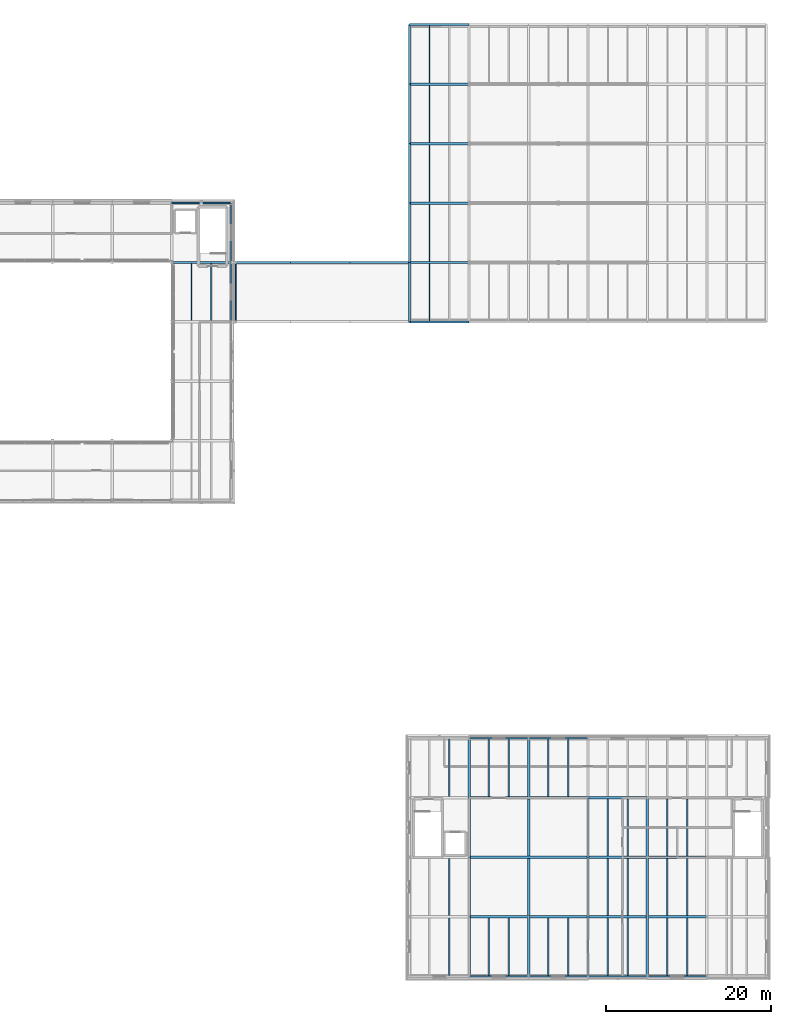
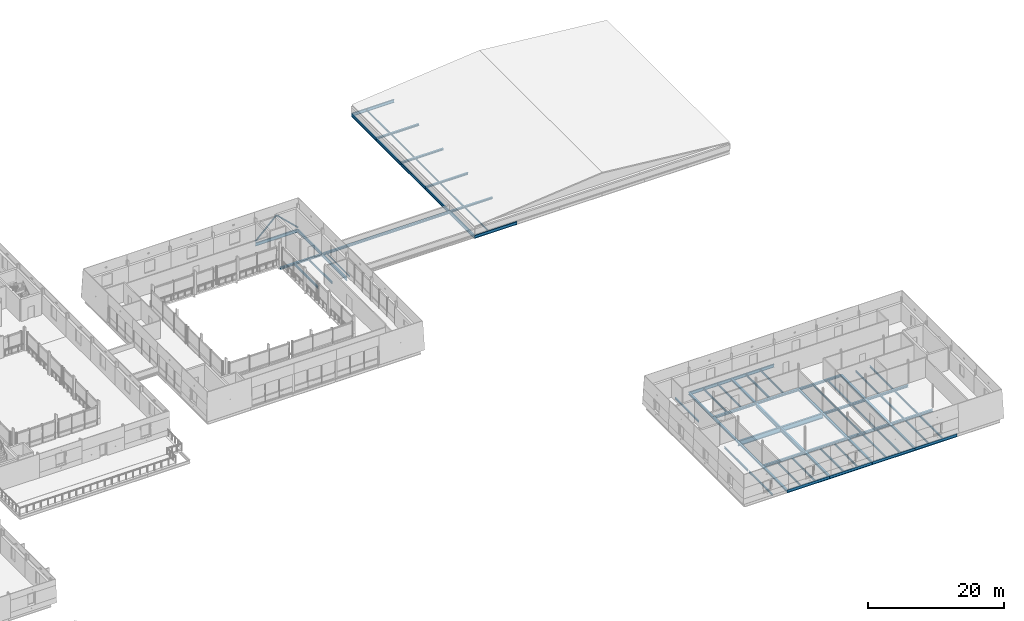
# One storey, part 27 of 91: 78 beams, 2 members.
"""IFC4 building model written with IfcOpenShell, lengths in metres."""

from ifc_helpers import new_model, si_unit, direction, frame, origin, origin_2d, place, context, subcontext, project, spatial, hollow_circle, i_section, extrude, material, material_profile, profile_set, type_object, element, save


model = new_model("IFC4")

# Units and contexts
model_context = context("Model", 3, precision=1e-05, world=origin(), true_north=direction((0.0, 1.0)))
body_context = subcontext(model_context, "Body", "Model", "MODEL_VIEW")
ifc_project = project(units=[si_unit("LENGTHUNIT", "METRE"), si_unit("AREAUNIT", "SQUARE_METRE"), si_unit("VOLUMEUNIT", "CUBIC_METRE"), si_unit("PLANEANGLEUNIT", "RADIAN"), si_unit("MASSUNIT", "GRAM", prefix="KILO")], contexts=[model_context])

# Site, building, storey
site_placement = place(None, origin())
site = spatial("IfcSite", under=ifc_project, at=site_placement, CompositionType="ELEMENT")
building_placement = place(site_placement, origin())
building = spatial("IfcBuilding", under=site, at=building_placement, Name="Narikvali Park Central Library", CompositionType="ELEMENT")
storey_placement = place(building_placement, frame((0.0, 0.0, 14.39990234375)))
storey = spatial("IfcBuildingStorey", under=building, at=storey_placement, Name="L03", CompositionType="ELEMENT", Elevation=14.39990234375)

# Beams
ifc_material = material(Name="Steel S355", Category="steel")
ifc_material_profile_1 = material_profile(ifc_material, i_section(OverallWidth=0.300048828125, OverallDepth=0.389892578125, WebThickness=0.010986328125, FlangeThickness=0.01904296875, FilletRadius=0.027099609375, at=origin_2d()), Name="HEA 400")
ifc_profile_set_1 = profile_set([ifc_material_profile_1], Name="Steel S355")
beam_type_1 = type_object("IfcBeamType", Name="Colonnade Bridge Girder HEA400", PredefinedType="BEAM", material=ifc_profile_set_1)
beam_1_placement = place(storey_placement, frame((101.02001953125, 86.39990234375, -0.434814453125), z_axis=(1.0, 0.0, 0.0), x_axis=(0.0, 1.0, 0.0)))
element("IfcBeam", 1, at=beam_1_placement, inside=storey, type_object=beam_type_1, Name="BRG-3 L03 Sliding Bridge Girder 2-1", PredefinedType="BEAM", context=body_context, shape_type="SweptSolid", body=[
    extrude(i_section(OverallWidth=0.300048828125, OverallDepth=0.389892578125, WebThickness=0.010986328125, FlangeThickness=0.01904296875, FilletRadius=0.027099609375, at=origin_2d()), origin(), (0.0, 0.0, 1.0), 6.969970703125),
])
for number, where, z_axis, x_axis, name in (
    (2, (108.010009765625, 86.39990234375, -0.434814453125), (1.0, 0.0, 0.0), (0.0, 1.0, 0.0), "BRG-3 L03 Sliding Bridge Girder 2-2"),
    (3, (115.2099609375, 86.39990234375, -0.434814453125), (1.0, 0.0, 0.0), (0.0, 1.0, 0.0), "BRG-3 L03 Sliding Bridge Girder 2-3"),
):
    element("IfcBeam", number, at=place(storey_placement, frame(where, z_axis=z_axis, x_axis=x_axis)), inside=storey, type_object=beam_type_1, Name=name, PredefinedType="BEAM", context=body_context, shape_type="SweptSolid", body=[
        extrude(i_section(OverallWidth=0.300048828125, OverallDepth=0.389892578125, WebThickness=0.010986328125, FlangeThickness=0.01904296875, FilletRadius=0.027099609375, at=origin_2d()), origin(), (0.0, 0.0, 1.0), 7.179931640625),
    ])
ifc_material_profile_2 = material_profile(ifc_material, i_section(OverallWidth=0.135009765625, OverallDepth=0.27001953125, WebThickness=0.006591796875, FlangeThickness=0.01025390625, FilletRadius=0.014892578125, at=origin_2d()), Name="IPE 270")
ifc_profile_set_2 = profile_set([ifc_material_profile_2], Name="Steel S355")
beam_type_2 = type_object("IfcBeamType", Name="Composite Floor Joist IPE270", PredefinedType="JOIST", material=ifc_profile_set_2)
beam_2_placement = place(storey_placement, frame((124.800048828125, 79.304931640625, -0.375), z_axis=(0.0, 1.0, 0.0), x_axis=(-1.0, 0.0, 0.0)))
element("IfcBeam", 4, at=beam_2_placement, inside=storey, type_object=beam_type_2, Name="V3 L03 Composite Joist 1", PredefinedType="JOIST", context=body_context, shape_type="SweptSolid", body=[
    extrude(i_section(OverallWidth=0.135009765625, OverallDepth=0.27001953125, WebThickness=0.006591796875, FlangeThickness=0.01025390625, FilletRadius=0.014892578125, at=origin_2d()), origin(), (0.0, 0.0, 1.0), 6.945068359375),
])
for number, where, z_axis, x_axis, name in (
    (5, (124.800048828125, 86.550048828125, -0.375), (0.0, 1.0, 0.0), (-1.0, 0.0, 0.0), "V3 L03 Composite Joist 1"),
    (6, (124.800048828125, 93.75, -0.375), (0.0, 1.0, 0.0), (-1.0, 0.0, 0.0), "V3 L03 Composite Joist 1"),
):
    element("IfcBeam", number, at=place(storey_placement, frame(where, z_axis=z_axis, x_axis=x_axis)), inside=storey, type_object=beam_type_2, Name=name, PredefinedType="JOIST", context=body_context, shape_type="SweptSolid", body=[
        extrude(i_section(OverallWidth=0.135009765625, OverallDepth=0.27001953125, WebThickness=0.006591796875, FlangeThickness=0.01025390625, FilletRadius=0.014892578125, at=origin_2d()), origin(), (0.0, 0.0, 1.0), 6.89990234375),
    ])
beam_3_placement = place(storey_placement, frame((124.800048828125, 100.949951171875, -0.375), z_axis=(0.0, 1.0, 0.0), x_axis=(-1.0, 0.0, 0.0)))
element("IfcBeam", 7, at=beam_3_placement, inside=storey, type_object=beam_type_2, Name="V3 L03 Composite Joist 1", PredefinedType="JOIST", context=body_context, shape_type="SweptSolid", body=[
    extrude(i_section(OverallWidth=0.135009765625, OverallDepth=0.27001953125, WebThickness=0.006591796875, FlangeThickness=0.01025390625, FilletRadius=0.014892578125, at=origin_2d()), origin(), (0.0, 0.0, 1.0), 6.900146484375),
])
beam_4_placement = place(storey_placement, frame((124.800048828125, 108.14990234375, -0.375), z_axis=(0.0, 1.0, 0.0), x_axis=(-1.0, 0.0, 0.0)))
element("IfcBeam", 8, at=beam_4_placement, inside=storey, type_object=beam_type_2, Name="V3 L03 Composite Joist 1", PredefinedType="JOIST", context=body_context, shape_type="SweptSolid", body=[
    extrude(i_section(OverallWidth=0.135009765625, OverallDepth=0.27001953125, WebThickness=0.006591796875, FlangeThickness=0.01025390625, FilletRadius=0.014892578125, at=origin_2d()), origin(), (0.0, 0.0, 1.0), 6.945068359375),
])
ifc_material_profile_3 = material_profile(ifc_material, i_section(OverallWidth=0.159912109375, OverallDepth=0.330078125, WebThickness=0.007568359375, FlangeThickness=0.011474609375, FilletRadius=0.01806640625, at=origin_2d()), Name="IPE 330")
ifc_profile_set_3 = profile_set([ifc_material_profile_3], Name="Steel S355")
beam_type_3 = type_object("IfcBeamType", Name="Composite Floor Joist IPE330", PredefinedType="JOIST", material=ifc_profile_set_3)
beam_5_placement = place(storey_placement, frame((127.199951171875, 0.10498046875, -0.44482421875), z_axis=(0.0, 1.0, 0.0), x_axis=(-1.0, 0.0, 0.0)))
element("IfcBeam", 9, at=beam_5_placement, inside=storey, type_object=beam_type_3, Name="V6 L03 Composite Joist 2", PredefinedType="JOIST", context=body_context, shape_type="SweptSolid", body=[
    extrude(i_section(OverallWidth=0.159912109375, OverallDepth=0.330078125, WebThickness=0.007568359375, FlangeThickness=0.011474609375, FilletRadius=0.01806640625, at=origin_2d()), origin(), (0.0, 0.0, 1.0), 6.945068359375),
])
beam_6_placement = place(storey_placement, frame((127.199951171875, 7.35009765625, -0.44482421875), z_axis=(0.0, 1.0, 0.0), x_axis=(-1.0, 0.0, 0.0)))
element("IfcBeam", 10, at=beam_6_placement, inside=storey, type_object=beam_type_3, Name="V6 L03 Composite Joist 2", PredefinedType="JOIST", context=body_context, shape_type="SweptSolid", body=[
    extrude(i_section(OverallWidth=0.159912109375, OverallDepth=0.330078125, WebThickness=0.007568359375, FlangeThickness=0.011474609375, FilletRadius=0.01806640625, at=origin_2d()), origin(), (0.0, 0.0, 1.0), 6.89990234375),
])
for number, where, z_axis, x_axis, name in (
    (11, (127.199951171875, 21.75, -0.44482421875), (0.0, 1.0, 0.0), (-1.0, 0.0, 0.0), "V6 L03 Composite Joist 2"),
    (12, (132.0, 0.10498046875, -0.44482421875), (0.0, 1.0, 0.0), (-1.0, 0.0, 0.0), "V6 L03 Composite Joist 1"),
    (13, (134.39990234375, 0.10498046875, -0.44482421875), (0.0, 1.0, 0.0), (-1.0, 0.0, 0.0), "V6 L03 Composite Joist 2"),
    (14, (132.0, 21.75, -0.44482421875), (0.0, 1.0, 0.0), (-1.0, 0.0, 0.0), "V6 L03 Composite Joist 1"),
    (15, (134.39990234375, 21.75, -0.44482421875), (0.0, 1.0, 0.0), (-1.0, 0.0, 0.0), "V6 L03 Composite Joist 2"),
    (16, (139.199951171875, 0.10498046875, -0.44482421875), (0.0, 1.0, 0.0), (-1.0, 0.0, 0.0), "V6 L03 Composite Joist 1"),
    (17, (141.60009765625, 0.10498046875, -0.44482421875), (0.0, 1.0, 0.0), (-1.0, 0.0, 0.0), "V6 L03 Composite Joist 2"),
    (18, (139.199951171875, 21.75, -0.44482421875), (0.0, 1.0, 0.0), (-1.0, 0.0, 0.0), "V6 L03 Composite Joist 1"),
    (19, (141.60009765625, 21.75, -0.44482421875), (0.0, 1.0, 0.0), (-1.0, 0.0, 0.0), "V6 L03 Composite Joist 2"),
    (20, (146.39990234375, 0.10498046875, -0.44482421875), (0.0, 1.0, 0.0), (-1.0, 0.0, 0.0), "V6 L03 Composite Joist 1"),
    (21, (148.800048828125, 0.10498046875, -0.44482421875), (0.0, 1.0, 0.0), (-1.0, 0.0, 0.0), "V6 L03 Composite Joist 2"),
):
    element("IfcBeam", number, at=place(storey_placement, frame(where, z_axis=z_axis, x_axis=x_axis)), inside=storey, type_object=beam_type_3, Name=name, PredefinedType="JOIST", context=body_context, shape_type="SweptSolid", body=[
        extrude(i_section(OverallWidth=0.159912109375, OverallDepth=0.330078125, WebThickness=0.007568359375, FlangeThickness=0.011474609375, FilletRadius=0.01806640625, at=origin_2d()), origin(), (0.0, 0.0, 1.0), 6.945068359375),
    ])
for number, where, z_axis, x_axis, name in (
    (22, (146.39990234375, 7.35009765625, -0.44482421875), (0.0, 1.0, 0.0), (-1.0, 0.0, 0.0), "V6 L03 Composite Joist 1"),
    (23, (148.800048828125, 7.35009765625, -0.44482421875), (0.0, 1.0, 0.0), (-1.0, 0.0, 0.0), "V6 L03 Composite Joist 2"),
    (24, (146.39990234375, 14.550048828125, -0.44482421875), (0.0, 1.0, 0.0), (-1.0, 0.0, 0.0), "V6 L03 Composite Joist 1"),
    (25, (148.800048828125, 14.550048828125, -0.44482421875), (0.0, 1.0, 0.0), (-1.0, 0.0, 0.0), "V6 L03 Composite Joist 2"),
):
    element("IfcBeam", number, at=place(storey_placement, frame(where, z_axis=z_axis, x_axis=x_axis)), inside=storey, type_object=beam_type_3, Name=name, PredefinedType="JOIST", context=body_context, shape_type="SweptSolid", body=[
        extrude(i_section(OverallWidth=0.159912109375, OverallDepth=0.330078125, WebThickness=0.007568359375, FlangeThickness=0.011474609375, FilletRadius=0.01806640625, at=origin_2d()), origin(), (0.0, 0.0, 1.0), 6.89990234375),
    ])
for number, where, z_axis, x_axis, name in (
    (26, (153.60009765625, 0.10498046875, -0.44482421875), (0.0, 1.0, 0.0), (-1.0, 0.0, 0.0), "V6 L03 Composite Joist 1"),
    (27, (156.0, 0.10498046875, -0.44482421875), (0.0, 1.0, 0.0), (-1.0, 0.0, 0.0), "V6 L03 Composite Joist 2"),
):
    element("IfcBeam", number, at=place(storey_placement, frame(where, z_axis=z_axis, x_axis=x_axis)), inside=storey, type_object=beam_type_3, Name=name, PredefinedType="JOIST", context=body_context, shape_type="SweptSolid", body=[
        extrude(i_section(OverallWidth=0.159912109375, OverallDepth=0.330078125, WebThickness=0.007568359375, FlangeThickness=0.011474609375, FilletRadius=0.01806640625, at=origin_2d()), origin(), (0.0, 0.0, 1.0), 6.945068359375),
    ])
for number, where, z_axis, x_axis, name in (
    (28, (153.60009765625, 7.35009765625, -0.44482421875), (0.0, 1.0, 0.0), (-1.0, 0.0, 0.0), "V6 L03 Composite Joist 1"),
    (29, (156.0, 7.35009765625, -0.44482421875), (0.0, 1.0, 0.0), (-1.0, 0.0, 0.0), "V6 L03 Composite Joist 2"),
    (30, (153.60009765625, 14.550048828125, -0.44482421875), (0.0, 1.0, 0.0), (-1.0, 0.0, 0.0), "V6 L03 Composite Joist 1"),
    (31, (156.0, 14.550048828125, -0.44482421875), (0.0, 1.0, 0.0), (-1.0, 0.0, 0.0), "V6 L03 Composite Joist 2"),
):
    element("IfcBeam", number, at=place(storey_placement, frame(where, z_axis=z_axis, x_axis=x_axis)), inside=storey, type_object=beam_type_3, Name=name, PredefinedType="JOIST", context=body_context, shape_type="SweptSolid", body=[
        extrude(i_section(OverallWidth=0.159912109375, OverallDepth=0.330078125, WebThickness=0.007568359375, FlangeThickness=0.011474609375, FilletRadius=0.01806640625, at=origin_2d()), origin(), (0.0, 0.0, 1.0), 6.89990234375),
    ])
ifc_material_profile_4 = material_profile(ifc_material, i_section(OverallWidth=0.300048828125, OverallDepth=0.889892578125, WebThickness=0.01611328125, FlangeThickness=0.030029296875, FilletRadius=0.030029296875, at=origin_2d()), Name="HEA 900")
ifc_profile_set_4 = profile_set([ifc_material_profile_4], Name="Steel S355")
beam_type_4 = type_object("IfcBeamType", Name="Lecture Hall Span Girder HEA900", PredefinedType="BEAM", material=ifc_profile_set_4)
beam_7_placement = place(storey_placement, frame((129.60791015625, 14.39990234375, -0.724853515625), z_axis=(1.0, 0.0, 0.0), x_axis=(0.0, 1.0, 0.0)))
element("IfcBeam", 32, at=beam_7_placement, inside=storey, type_object=beam_type_4, Name="V6 L03 Girder X", PredefinedType="BEAM", context=body_context, shape_type="SweptSolid", body=[
    extrude(i_section(OverallWidth=0.300048828125, OverallDepth=0.889892578125, WebThickness=0.01611328125, FlangeThickness=0.030029296875, FilletRadius=0.030029296875, at=origin_2d()), origin(), (0.0, 0.0, 1.0), 14.384033203125),
])
ifc_material_profile_5 = material_profile(ifc_material, i_section(OverallWidth=0.300048828125, OverallDepth=0.699951171875, WebThickness=0.01708984375, FlangeThickness=0.031982421875, FilletRadius=0.027099609375, at=origin_2d()), Name="HEB 700")
ifc_profile_set_5 = profile_set([ifc_material_profile_5], Name="Steel S355")
beam_type_5 = type_object("IfcBeamType", Name="Long Span Girder HEB700", PredefinedType="BEAM", material=ifc_profile_set_5)
beam_8_placement = place(storey_placement, frame((136.800048828125, 7.2080078125, -0.6298828125), z_axis=(0.0, 1.0, 0.0), x_axis=(-1.0, 0.0, 0.0)))
element("IfcBeam", 33, at=beam_8_placement, inside=storey, type_object=beam_type_5, Name="V6 L03 Girder Y", PredefinedType="BEAM", context=body_context, shape_type="SweptSolid", body=[
    extrude(i_section(OverallWidth=0.300048828125, OverallDepth=0.699951171875, WebThickness=0.01708984375, FlangeThickness=0.031982421875, FilletRadius=0.027099609375, at=origin_2d()), origin(), (0.0, 0.0, 1.0), 14.384033203125),
])
ifc_material_profile_6 = material_profile(ifc_material, i_section(OverallWidth=0.2099609375, OverallDepth=0.550048828125, WebThickness=0.010986328125, FlangeThickness=0.01708984375, FilletRadius=0.02392578125, at=origin_2d()), Name="IPE 550")
ifc_profile_set_6 = profile_set([ifc_material_profile_6], Name="Steel S355")
beam_type_6 = type_object("IfcBeamType", Name="Perimeter Spandrel IPE550", PredefinedType="SPANDREL", material=ifc_profile_set_6)
for number, where, z_axis, x_axis, name in (
    (34, (93.60791015625, 93.60009765625, -0.554931640625), (1.0, 0.0, 0.0), (0.0, 1.0, 0.0), "V1 L03 Girder X"),
    (35, (100.800048828125, 79.2080078125, -0.554931640625), (0.0, 1.0, 0.0), (-1.0, 0.0, 0.0), "V1 L03 Girder Y"),
    (36, (100.800048828125, 86.407958984375, -0.554931640625), (0.0, 1.0, 0.0), (-1.0, 0.0, 0.0), "V1 L03 Girder Y"),
    (37, (122.407958984375, 79.199951171875, -0.514892578125), (1.0, 0.0, 0.0), (0.0, 1.0, 0.0), "V3 L03 Girder X"),
    (38, (122.407958984375, 115.199951171875, -0.514892578125), (1.0, 0.0, 0.0), (0.0, 1.0, 0.0), "V3 L03 Girder X"),
    (39, (122.39990234375, 79.2080078125, -0.514892578125), (0.0, 1.0, 0.0), (-1.0, 0.0, 0.0), "V3 L03 Girder Y"),
    (40, (122.39990234375, 86.407958984375, -0.514892578125), (0.0, 1.0, 0.0), (-1.0, 0.0, 0.0), "V3 L03 Girder Y"),
    (41, (122.39990234375, 93.60791015625, -0.514892578125), (0.0, 1.0, 0.0), (-1.0, 0.0, 0.0), "V3 L03 Girder Y"),
):
    element("IfcBeam", number, at=place(storey_placement, frame(where, z_axis=z_axis, x_axis=x_axis)), inside=storey, type_object=beam_type_6, Name=name, PredefinedType="SPANDREL", context=body_context, shape_type="SweptSolid", body=[
        extrude(i_section(OverallWidth=0.2099609375, OverallDepth=0.550048828125, WebThickness=0.010986328125, FlangeThickness=0.01708984375, FilletRadius=0.02392578125, at=origin_2d()), origin(), (0.0, 0.0, 1.0), 7.18408203125),
    ])
for number, where, z_axis, x_axis, name in (
    (42, (122.39990234375, 100.80810546875, -0.514892578125), (0.0, 1.0, 0.0), (-1.0, 0.0, 0.0), "V3 L03 Girder Y"),
    (43, (122.39990234375, 108.008056640625, -0.514892578125), (0.0, 1.0, 0.0), (-1.0, 0.0, 0.0), "V3 L03 Girder Y"),
):
    element("IfcBeam", number, at=place(storey_placement, frame(where, z_axis=z_axis, x_axis=x_axis)), inside=storey, type_object=beam_type_6, Name=name, PredefinedType="SPANDREL", context=body_context, shape_type="SweptSolid", body=[
        extrude(i_section(OverallWidth=0.2099609375, OverallDepth=0.550048828125, WebThickness=0.010986328125, FlangeThickness=0.01708984375, FilletRadius=0.02392578125, at=origin_2d()), origin(), (0.0, 0.0, 1.0), 7.183837890625),
    ])
beam_9_placement = place(storey_placement, frame((129.60791015625, 0.0, -0.554931640625), z_axis=(1.0, 0.0, 0.0), x_axis=(0.0, 1.0, 0.0)))
element("IfcBeam", 44, at=beam_9_placement, inside=storey, type_object=beam_type_6, Name="V6 L03 Girder X", PredefinedType="SPANDREL", context=body_context, shape_type="SweptSolid", body=[
    extrude(i_section(OverallWidth=0.2099609375, OverallDepth=0.550048828125, WebThickness=0.010986328125, FlangeThickness=0.01708984375, FilletRadius=0.02392578125, at=origin_2d()), origin(), (0.0, 0.0, 1.0), 7.18408203125),
])
for number, where, z_axis, x_axis, name in (
    (45, (136.80810546875, 0.0, -0.554931640625), (1.0, 0.0, 0.0), (0.0, 1.0, 0.0), "V6 L03 Girder X"),
    (46, (144.008056640625, 0.0, -0.554931640625), (1.0, 0.0, 0.0), (0.0, 1.0, 0.0), "V6 L03 Girder X"),
):
    element("IfcBeam", number, at=place(storey_placement, frame(where, z_axis=z_axis, x_axis=x_axis)), inside=storey, type_object=beam_type_6, Name=name, PredefinedType="SPANDREL", context=body_context, shape_type="SweptSolid", body=[
        extrude(i_section(OverallWidth=0.2099609375, OverallDepth=0.550048828125, WebThickness=0.010986328125, FlangeThickness=0.01708984375, FilletRadius=0.02392578125, at=origin_2d()), origin(), (0.0, 0.0, 1.0), 7.183837890625),
    ])
for number, where, z_axis, x_axis, name in (
    (47, (151.2080078125, 0.0, -0.554931640625), (1.0, 0.0, 0.0), (0.0, 1.0, 0.0), "V6 L03 Girder X"),
    (48, (129.60791015625, 28.800048828125, -0.554931640625), (1.0, 0.0, 0.0), (0.0, 1.0, 0.0), "V6 L03 Girder X"),
):
    element("IfcBeam", number, at=place(storey_placement, frame(where, z_axis=z_axis, x_axis=x_axis)), inside=storey, type_object=beam_type_6, Name=name, PredefinedType="SPANDREL", context=body_context, shape_type="SweptSolid", body=[
        extrude(i_section(OverallWidth=0.2099609375, OverallDepth=0.550048828125, WebThickness=0.010986328125, FlangeThickness=0.01708984375, FilletRadius=0.02392578125, at=origin_2d()), origin(), (0.0, 0.0, 1.0), 7.18408203125),
    ])
beam_10_placement = place(storey_placement, frame((136.80810546875, 28.800048828125, -0.554931640625), z_axis=(1.0, 0.0, 0.0), x_axis=(0.0, 1.0, 0.0)))
element("IfcBeam", 49, at=beam_10_placement, inside=storey, type_object=beam_type_6, Name="V6 L03 Girder X", PredefinedType="SPANDREL", context=body_context, shape_type="SweptSolid", body=[
    extrude(i_section(OverallWidth=0.2099609375, OverallDepth=0.550048828125, WebThickness=0.010986328125, FlangeThickness=0.01708984375, FilletRadius=0.02392578125, at=origin_2d()), origin(), (0.0, 0.0, 1.0), 7.183837890625),
])
ifc_material_profile_7 = material_profile(ifc_material, i_section(OverallWidth=0.08203125, OverallDepth=0.159912109375, WebThickness=0.0048828125, FlangeThickness=0.00732421875, FilletRadius=0.009033203125, at=origin_2d()), Name="IPE 160")
ifc_profile_set_7 = profile_set([ifc_material_profile_7], Name="Steel S355")
beam_type_7 = type_object("IfcBeamType", Name="Portal Steel Lintel IPE160", PredefinedType="LINTEL", material=ifc_profile_set_7)
beam_11_placement = place(storey_placement, frame((101.35009765625, 79.360107421875, -0.31982421875), z_axis=(0.0, 1.0, 0.0), x_axis=(-1.0, 0.0, 0.0)))
element("IfcBeam", 50, at=beam_11_placement, inside=storey, type_object=beam_type_7, Name="BRG-3 L03 Portal Transverse Lintel", PredefinedType="LINTEL", context=body_context, shape_type="SweptSolid", body=[
    extrude(i_section(OverallWidth=0.08203125, OverallDepth=0.159912109375, WebThickness=0.0048828125, FlangeThickness=0.00732421875, FilletRadius=0.009033203125, at=origin_2d()), origin(), (0.0, 0.0, 1.0), 6.8798828125),
])
ifc_material_profile_8 = material_profile(ifc_material, i_section(OverallWidth=0.300048828125, OverallDepth=0.31005859375, WebThickness=0.009033203125, FlangeThickness=0.015380859375, FilletRadius=0.027099609375, at=origin_2d()), Name="HEA 320")
ifc_profile_set_8 = profile_set([ifc_material_profile_8], Name="Steel S355")
beam_type_8 = type_object("IfcBeamType", Name="Primary Girder HEA320", PredefinedType="BEAM", material=ifc_profile_set_8)
for number, where, z_axis, x_axis, name in (
    (51, (122.407958984375, 86.39990234375, -0.39501953125), (1.0, 0.0, 0.0), (0.0, 1.0, 0.0), "V3 L03 Girder X"),
    (52, (122.407958984375, 93.60009765625, -0.39501953125), (1.0, 0.0, 0.0), (0.0, 1.0, 0.0), "V3 L03 Girder X"),
    (53, (122.407958984375, 100.800048828125, -0.39501953125), (1.0, 0.0, 0.0), (0.0, 1.0, 0.0), "V3 L03 Girder X"),
    (54, (122.407958984375, 108.0, -0.39501953125), (1.0, 0.0, 0.0), (0.0, 1.0, 0.0), "V3 L03 Girder X"),
):
    element("IfcBeam", number, at=place(storey_placement, frame(where, z_axis=z_axis, x_axis=x_axis)), inside=storey, type_object=beam_type_8, Name=name, PredefinedType="BEAM", context=body_context, shape_type="SweptSolid", body=[
        extrude(i_section(OverallWidth=0.300048828125, OverallDepth=0.31005859375, WebThickness=0.009033203125, FlangeThickness=0.015380859375, FilletRadius=0.027099609375, at=origin_2d()), origin(), (0.0, 0.0, 1.0), 7.18408203125),
    ])
ifc_material_profile_9 = material_profile(ifc_material, i_section(OverallWidth=0.300048828125, OverallDepth=0.35009765625, WebThickness=0.010009765625, FlangeThickness=0.017578125, FilletRadius=0.027099609375, at=origin_2d()), Name="HEA 360")
ifc_profile_set_9 = profile_set([ifc_material_profile_9], Name="Steel S355")
beam_type_9 = type_object("IfcBeamType", Name="Primary Girder HEA360", PredefinedType="BEAM", material=ifc_profile_set_9)
beam_12_placement = place(storey_placement, frame((129.60009765625, 0.008056640625, -0.454833984375), z_axis=(0.0, 1.0, 0.0), x_axis=(-1.0, 0.0, 0.0)))
element("IfcBeam", 55, at=beam_12_placement, inside=storey, type_object=beam_type_9, Name="V6 L03 Girder Y", PredefinedType="BEAM", context=body_context, shape_type="SweptSolid", body=[
    extrude(i_section(OverallWidth=0.300048828125, OverallDepth=0.35009765625, WebThickness=0.010009765625, FlangeThickness=0.017578125, FilletRadius=0.027099609375, at=origin_2d()), origin(), (0.0, 0.0, 1.0), 7.183837890625),
])
for number, where, z_axis, x_axis, name in (
    (56, (129.60009765625, 7.2080078125, -0.454833984375), (0.0, 1.0, 0.0), (-1.0, 0.0, 0.0), "V6 L03 Girder Y"),
    (57, (129.60009765625, 14.407958984375, -0.454833984375), (0.0, 1.0, 0.0), (-1.0, 0.0, 0.0), "V6 L03 Girder Y"),
    (58, (129.60009765625, 21.60791015625, -0.454833984375), (0.0, 1.0, 0.0), (-1.0, 0.0, 0.0), "V6 L03 Girder Y"),
):
    element("IfcBeam", number, at=place(storey_placement, frame(where, z_axis=z_axis, x_axis=x_axis)), inside=storey, type_object=beam_type_9, Name=name, PredefinedType="BEAM", context=body_context, shape_type="SweptSolid", body=[
        extrude(i_section(OverallWidth=0.300048828125, OverallDepth=0.35009765625, WebThickness=0.010009765625, FlangeThickness=0.017578125, FilletRadius=0.027099609375, at=origin_2d()), origin(), (0.0, 0.0, 1.0), 7.18408203125),
    ])
beam_13_placement = place(storey_placement, frame((136.800048828125, 0.008056640625, -0.454833984375), z_axis=(0.0, 1.0, 0.0), x_axis=(-1.0, 0.0, 0.0)))
element("IfcBeam", 59, at=beam_13_placement, inside=storey, type_object=beam_type_9, Name="V6 L03 Girder Y", PredefinedType="BEAM", context=body_context, shape_type="SweptSolid", body=[
    extrude(i_section(OverallWidth=0.300048828125, OverallDepth=0.35009765625, WebThickness=0.010009765625, FlangeThickness=0.017578125, FilletRadius=0.027099609375, at=origin_2d()), origin(), (0.0, 0.0, 1.0), 7.183837890625),
])
beam_14_placement = place(storey_placement, frame((136.800048828125, 21.60791015625, -0.454833984375), z_axis=(0.0, 1.0, 0.0), x_axis=(-1.0, 0.0, 0.0)))
element("IfcBeam", 60, at=beam_14_placement, inside=storey, type_object=beam_type_9, Name="V6 L03 Girder Y", PredefinedType="BEAM", context=body_context, shape_type="SweptSolid", body=[
    extrude(i_section(OverallWidth=0.300048828125, OverallDepth=0.35009765625, WebThickness=0.010009765625, FlangeThickness=0.017578125, FilletRadius=0.027099609375, at=origin_2d()), origin(), (0.0, 0.0, 1.0), 7.18408203125),
])
beam_15_placement = place(storey_placement, frame((144.0, 0.008056640625, -0.454833984375), z_axis=(0.0, 1.0, 0.0), x_axis=(-1.0, 0.0, 0.0)))
element("IfcBeam", 61, at=beam_15_placement, inside=storey, type_object=beam_type_9, Name="V6 L03 Girder Y", PredefinedType="BEAM", context=body_context, shape_type="SweptSolid", body=[
    extrude(i_section(OverallWidth=0.300048828125, OverallDepth=0.35009765625, WebThickness=0.010009765625, FlangeThickness=0.017578125, FilletRadius=0.027099609375, at=origin_2d()), origin(), (0.0, 0.0, 1.0), 7.183837890625),
])
for number, where, z_axis, x_axis, name in (
    (62, (144.0, 7.2080078125, -0.454833984375), (0.0, 1.0, 0.0), (-1.0, 0.0, 0.0), "V6 L03 Girder Y"),
    (63, (144.0, 14.407958984375, -0.454833984375), (0.0, 1.0, 0.0), (-1.0, 0.0, 0.0), "V6 L03 Girder Y"),
):
    element("IfcBeam", number, at=place(storey_placement, frame(where, z_axis=z_axis, x_axis=x_axis)), inside=storey, type_object=beam_type_9, Name=name, PredefinedType="BEAM", context=body_context, shape_type="SweptSolid", body=[
        extrude(i_section(OverallWidth=0.300048828125, OverallDepth=0.35009765625, WebThickness=0.010009765625, FlangeThickness=0.017578125, FilletRadius=0.027099609375, at=origin_2d()), origin(), (0.0, 0.0, 1.0), 7.18408203125),
    ])
beam_16_placement = place(storey_placement, frame((151.199951171875, 0.008056640625, -0.454833984375), z_axis=(0.0, 1.0, 0.0), x_axis=(-1.0, 0.0, 0.0)))
element("IfcBeam", 64, at=beam_16_placement, inside=storey, type_object=beam_type_9, Name="V6 L03 Girder Y", PredefinedType="BEAM", context=body_context, shape_type="SweptSolid", body=[
    extrude(i_section(OverallWidth=0.300048828125, OverallDepth=0.35009765625, WebThickness=0.010009765625, FlangeThickness=0.017578125, FilletRadius=0.027099609375, at=origin_2d()), origin(), (0.0, 0.0, 1.0), 7.183837890625),
])
for number, where, z_axis, x_axis, name in (
    (65, (151.199951171875, 7.2080078125, -0.454833984375), (0.0, 1.0, 0.0), (-1.0, 0.0, 0.0), "V6 L03 Girder Y"),
    (66, (151.199951171875, 14.407958984375, -0.454833984375), (0.0, 1.0, 0.0), (-1.0, 0.0, 0.0), "V6 L03 Girder Y"),
):
    element("IfcBeam", number, at=place(storey_placement, frame(where, z_axis=z_axis, x_axis=x_axis)), inside=storey, type_object=beam_type_9, Name=name, PredefinedType="BEAM", context=body_context, shape_type="SweptSolid", body=[
        extrude(i_section(OverallWidth=0.300048828125, OverallDepth=0.35009765625, WebThickness=0.010009765625, FlangeThickness=0.017578125, FilletRadius=0.027099609375, at=origin_2d()), origin(), (0.0, 0.0, 1.0), 7.18408203125),
    ])
ifc_material_profile_10 = material_profile(ifc_material, i_section(OverallWidth=0.300048828125, OverallDepth=0.389892578125, WebThickness=0.010986328125, FlangeThickness=0.01904296875, FilletRadius=0.027099609375, at=origin_2d()), Name="HEA 400")
ifc_profile_set_10 = profile_set([ifc_material_profile_10], Name="Steel S355")
beam_type_10 = type_object("IfcBeamType", Name="Primary Girder HEA400", PredefinedType="BEAM", material=ifc_profile_set_10)
beam_17_placement = place(storey_placement, frame((129.60791015625, 7.199951171875, -0.474853515625), z_axis=(1.0, 0.0, 0.0), x_axis=(0.0, 1.0, 0.0)))
element("IfcBeam", 67, at=beam_17_placement, inside=storey, type_object=beam_type_10, Name="V6 L03 Girder X", PredefinedType="BEAM", context=body_context, shape_type="SweptSolid", body=[
    extrude(i_section(OverallWidth=0.300048828125, OverallDepth=0.389892578125, WebThickness=0.010986328125, FlangeThickness=0.01904296875, FilletRadius=0.027099609375, at=origin_2d()), origin(), (0.0, 0.0, 1.0), 7.18408203125),
])
for number, where, z_axis, x_axis, name in (
    (68, (136.80810546875, 7.199951171875, -0.474853515625), (1.0, 0.0, 0.0), (0.0, 1.0, 0.0), "V6 L03 Girder X"),
    (69, (144.008056640625, 7.199951171875, -0.474853515625), (1.0, 0.0, 0.0), (0.0, 1.0, 0.0), "V6 L03 Girder X"),
):
    element("IfcBeam", number, at=place(storey_placement, frame(where, z_axis=z_axis, x_axis=x_axis)), inside=storey, type_object=beam_type_10, Name=name, PredefinedType="BEAM", context=body_context, shape_type="SweptSolid", body=[
        extrude(i_section(OverallWidth=0.300048828125, OverallDepth=0.389892578125, WebThickness=0.010986328125, FlangeThickness=0.01904296875, FilletRadius=0.027099609375, at=origin_2d()), origin(), (0.0, 0.0, 1.0), 7.183837890625),
    ])
beam_18_placement = place(storey_placement, frame((151.2080078125, 7.199951171875, -0.474853515625), z_axis=(1.0, 0.0, 0.0), x_axis=(0.0, 1.0, 0.0)))
element("IfcBeam", 70, at=beam_18_placement, inside=storey, type_object=beam_type_10, Name="V6 L03 Girder X", PredefinedType="BEAM", context=body_context, shape_type="SweptSolid", body=[
    extrude(i_section(OverallWidth=0.300048828125, OverallDepth=0.389892578125, WebThickness=0.010986328125, FlangeThickness=0.01904296875, FilletRadius=0.027099609375, at=origin_2d()), origin(), (0.0, 0.0, 1.0), 7.18408203125),
])
beam_19_placement = place(storey_placement, frame((144.008056640625, 14.39990234375, -0.474853515625), z_axis=(1.0, 0.0, 0.0), x_axis=(0.0, 1.0, 0.0)))
element("IfcBeam", 71, at=beam_19_placement, inside=storey, type_object=beam_type_10, Name="V6 L03 Girder X", PredefinedType="BEAM", context=body_context, shape_type="SweptSolid", body=[
    extrude(i_section(OverallWidth=0.300048828125, OverallDepth=0.389892578125, WebThickness=0.010986328125, FlangeThickness=0.01904296875, FilletRadius=0.027099609375, at=origin_2d()), origin(), (0.0, 0.0, 1.0), 7.183837890625),
])
for number, where, z_axis, x_axis, name in (
    (72, (151.2080078125, 14.39990234375, -0.474853515625), (1.0, 0.0, 0.0), (0.0, 1.0, 0.0), "V6 L03 Girder X"),
    (73, (129.60791015625, 21.60009765625, -0.474853515625), (1.0, 0.0, 0.0), (0.0, 1.0, 0.0), "V6 L03 Girder X"),
):
    element("IfcBeam", number, at=place(storey_placement, frame(where, z_axis=z_axis, x_axis=x_axis)), inside=storey, type_object=beam_type_10, Name=name, PredefinedType="BEAM", context=body_context, shape_type="SweptSolid", body=[
        extrude(i_section(OverallWidth=0.300048828125, OverallDepth=0.389892578125, WebThickness=0.010986328125, FlangeThickness=0.01904296875, FilletRadius=0.027099609375, at=origin_2d()), origin(), (0.0, 0.0, 1.0), 7.18408203125),
    ])
for number, where, z_axis, x_axis, name in (
    (74, (136.80810546875, 21.60009765625, -0.474853515625), (1.0, 0.0, 0.0), (0.0, 1.0, 0.0), "V6 L03 Girder X"),
    (75, (144.008056640625, 21.60009765625, -0.474853515625), (1.0, 0.0, 0.0), (0.0, 1.0, 0.0), "V6 L03 Girder X"),
):
    element("IfcBeam", number, at=place(storey_placement, frame(where, z_axis=z_axis, x_axis=x_axis)), inside=storey, type_object=beam_type_10, Name=name, PredefinedType="BEAM", context=body_context, shape_type="SweptSolid", body=[
        extrude(i_section(OverallWidth=0.300048828125, OverallDepth=0.389892578125, WebThickness=0.010986328125, FlangeThickness=0.01904296875, FilletRadius=0.027099609375, at=origin_2d()), origin(), (0.0, 0.0, 1.0), 7.183837890625),
    ])

# Members
ifc_material_profile_11 = material_profile(ifc_material, hollow_circle(Radius=0.122314453125, WallThickness=0.012451171875, at=origin_2d()), Name="CHS 244.5x12.5")
ifc_profile_set_11 = profile_set([ifc_material_profile_11], Name="Steel S355")
member_type = type_object("IfcMemberType", Name="Upper Chevron Brace CHS244", PredefinedType="BRACE", material=ifc_profile_set_11)
for number, where, z_axis, x_axis, name in (
    (76, (93.614990234375, 93.60009765625, 0.01513671875), (0.723049169735, 0.0, 0.690796567844), (0.0, 1.0, 0.0), "V1 L03 Seismic Chevron Brace A"),
    (77, (100.784912109375, 93.60009765625, 0.01513671875), (-0.723049169735, 0.0, 0.690796567844), (0.0, -1.0, 0.0), "V1 L03 Seismic Chevron Brace B"),
):
    element("IfcMember", number, at=place(storey_placement, frame(where, z_axis=z_axis, x_axis=x_axis)), inside=storey, type_object=member_type, Name=name, PredefinedType="BRACE", context=body_context, shape_type="SweptSolid", body=[
        extrude(hollow_circle(Radius=0.122314453125, WallThickness=0.012451171875, at=origin_2d()), origin(), (0.0, 0.0, 1.0), 4.9580078125),
    ])

# Beams
ifc_material_profile_12 = material_profile(ifc_material, i_section(OverallWidth=0.300048828125, OverallDepth=0.360107421875, WebThickness=0.012451171875, FlangeThickness=0.0224609375, FilletRadius=0.027099609375, at=origin_2d()), Name="HEB 360")
ifc_profile_set_12 = profile_set([ifc_material_profile_12], Name="Steel S355")
beam_type_11 = type_object("IfcBeamType", Name="Upper Gallery Girder HEB360", PredefinedType="BEAM", material=ifc_profile_set_12)
beam_20_placement = place(storey_placement, frame((93.60791015625, 86.39990234375, -0.4599609375), z_axis=(1.0, 0.0, 0.0), x_axis=(0.0, 1.0, 0.0)))
element("IfcBeam", 78, at=beam_20_placement, inside=storey, type_object=beam_type_11, Name="V1 L03 Girder X", PredefinedType="BEAM", context=body_context, shape_type="SweptSolid", body=[
    extrude(i_section(OverallWidth=0.300048828125, OverallDepth=0.360107421875, WebThickness=0.012451171875, FlangeThickness=0.0224609375, FilletRadius=0.027099609375, at=origin_2d()), origin(), (0.0, 0.0, 1.0), 7.18408203125),
])
ifc_material_profile_13 = material_profile(ifc_material, i_section(OverallWidth=0.172119140625, OverallDepth=0.364013671875, WebThickness=0.00927734375, FlangeThickness=0.0146484375, FilletRadius=0.01806640625, at=origin_2d()), Name="IPEO 360")
ifc_profile_set_13 = profile_set([ifc_material_profile_13], Name="Steel S355")
beam_type_12 = type_object("IfcBeamType", Name="Upper Study Joist IPEO360", PredefinedType="JOIST", material=ifc_profile_set_13)
for number, where, z_axis, x_axis, name in (
    (79, (96.0, 79.35009765625, -0.4619140625), (0.0, 1.0, 0.0), (-1.0, 0.0, 0.0), "V1 L03 Composite Joist 1"),
    (80, (98.39990234375, 79.35009765625, -0.4619140625), (0.0, 1.0, 0.0), (-1.0, 0.0, 0.0), "V1 L03 Composite Joist 2"),
):
    element("IfcBeam", number, at=place(storey_placement, frame(where, z_axis=z_axis, x_axis=x_axis)), inside=storey, type_object=beam_type_12, Name=name, PredefinedType="JOIST", context=body_context, shape_type="SweptSolid", body=[
        extrude(i_section(OverallWidth=0.172119140625, OverallDepth=0.364013671875, WebThickness=0.00927734375, FlangeThickness=0.0146484375, FilletRadius=0.01806640625, at=origin_2d()), origin(), (0.0, 0.0, 1.0), 6.89990234375),
    ])

save(model, "model.ifc")
